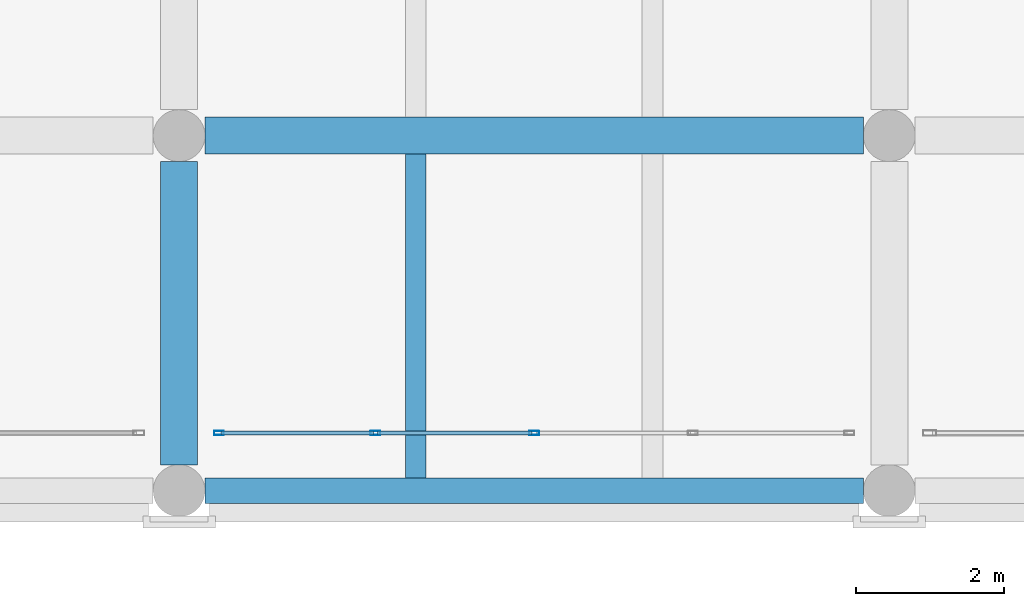
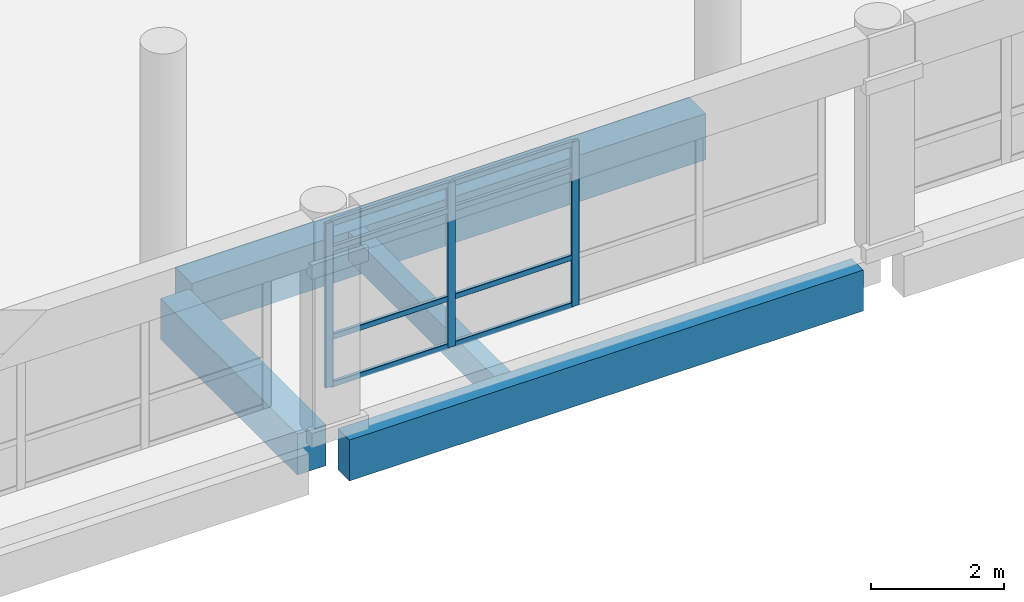
# One storey, part 10 of 180: 11 members, 4 beams, 1 element without a shape of its own.
"""IFC4 building model written with IfcOpenShell, lengths in metres."""

from ifc_helpers import new_model, si_unit, direction, frame, origin, origin_2d, place, context, subcontext, project, spatial, rectangle, hollow_rectangle, extrude, material, layer, layer_set, material_profile, profile_set, type_object, element, aggregate, save


model = new_model("IFC4")

# Units and contexts
model_context = context("Model", 3, precision=1e-05, world=origin(), true_north=direction((0.0, 1.0)))
body_context = subcontext(model_context, "Body", "Model", "MODEL_VIEW")
ifc_project = project(units=[si_unit("LENGTHUNIT", "METRE"), si_unit("AREAUNIT", "SQUARE_METRE"), si_unit("VOLUMEUNIT", "CUBIC_METRE"), si_unit("PLANEANGLEUNIT", "RADIAN"), si_unit("MASSUNIT", "GRAM", prefix="KILO")], contexts=[model_context])

# Site, building, storey
site_placement = place(None, origin())
site = spatial("IfcSite", under=ifc_project, at=site_placement, CompositionType="ELEMENT")
building_placement = place(site_placement, origin())
building = spatial("IfcBuilding", under=site, at=building_placement, Name="Asteropetra Specialist Clinic", CompositionType="ELEMENT")
storey_placement = place(building_placement, frame((0.0, 0.0, 4.419921875)))
storey = spatial("IfcBuildingStorey", under=building, at=storey_placement, Name="L01", CompositionType="ELEMENT", Elevation=4.419921875)

# Beams
ifc_material_1 = material(Name="Concrete C35/45", Category="concrete")
ifc_material_profile_1 = material_profile(ifc_material_1, rectangle(XDim=0.5, YDim=0.75, at=origin_2d()), Name="RCB 500x750")
ifc_profile_set_1 = profile_set([ifc_material_profile_1], Name="Concrete C35/45")
beam_type_1 = type_object("IfcBeamType", Name="BM-RC500x750", PredefinedType="BEAM", material=ifc_profile_set_1)
beam_1_placement = place(storey_placement, frame((9.60009765625, 0.35009765625, -0.71484375), z_axis=(0.0, 1.0, 0.0), x_axis=(-1.0, 0.0, 0.0)))
element("IfcBeam", 1, at=beam_1_placement, inside=storey, type_object=beam_type_1, Name="Beam BBM04-0253", PredefinedType="BEAM", context=body_context, shape_type="SweptSolid", body=[
    extrude(rectangle(XDim=0.5, YDim=0.75, at=origin_2d()), origin(), (0.0, 0.0, 1.0), 4.099853515625),
])
ifc_material_2 = material(Name="Concrete C35/45", Category="concrete")
ifc_material_profile_2 = material_profile(ifc_material_2, rectangle(XDim=0.5, YDim=0.85009765625, at=origin_2d()), Name="RCB 500x850")
ifc_profile_set_2 = profile_set([ifc_material_profile_2], Name="Concrete C35/45")
beam_type_2 = type_object("IfcBeamType", Name="BM-RC500x850", PredefinedType="BEAM", material=ifc_profile_set_2)
beam_2_placement = place(storey_placement, frame((9.949951171875, 4.800048828125, -0.764892578125), z_axis=(1.0, 0.0, 0.0), x_axis=(0.0, 1.0, 0.0)))
element("IfcBeam", 2, at=beam_2_placement, inside=storey, type_object=beam_type_2, Name="Beam BBM03-0233", PredefinedType="BEAM", context=body_context, shape_type="SweptSolid", body=[
    extrude(rectangle(XDim=0.5, YDim=0.85009765625, at=origin_2d()), origin(), (0.0, 0.0, 1.0), 8.900146484375),
])

# Curtain wall, members
ifc_material_3 = material(Name="Aluminium and low-E glass", Category="aluminium")
ifc_layer = layer(ifc_material_3, 0.179931640625)
ifc_layer_set = layer_set([ifc_layer], Name="Aluminium and low-E glass")
curtain_wall_type = type_object("IfcCurtainWallType", Name="CW-SYS-10", PredefinedType="USERDEFINED", material=ifc_layer_set)
curtain_wall_placement = place(storey_placement, origin())
curtain_wall = element("IfcCurtainWall", 3, at=curtain_wall_placement, inside=storey, type_object=curtain_wall_type, Name="Curtain Wall CW-134", ObjectType="STICK GLAZED COLONNADE", PredefinedType="USERDEFINED")
ifc_material_4 = material(Name="Aluminium 6063-T6", Category="aluminium")
ifc_material_profile_3 = material_profile(ifc_material_4, hollow_rectangle(XDim=0.06005859375, YDim=0.135009765625, WallThickness=0.00341796875, InnerFilletRadius=0.00341796875, OuterFilletRadius=0.007080078125, at=origin_2d()), Name="MUL 135x60x3.5")
ifc_profile_set_3 = profile_set([ifc_material_profile_3], Name="Aluminium 6063-T6")
member_type_1 = type_object("IfcMemberType", Name="CWM-135x60", PredefinedType="MULLION", material=ifc_profile_set_3)
member_1_placement = place(storey_placement, frame((10.139892578125, 0.780029296875, 0.0), z_axis=(0.0, 0.0, 1.0), x_axis=(0.0, 1.0, 0.0)))
member_1 = element("IfcMember", 4, at=member_1_placement, type_object=member_type_1, Name="CW-134 mullion 1", PredefinedType="MULLION", context=body_context, shape_type="SweptSolid", body=[
    extrude(hollow_rectangle(XDim=0.06005859375, YDim=0.135009765625, WallThickness=0.00341796875, InnerFilletRadius=0.00341796875, OuterFilletRadius=0.007080078125, at=origin_2d()), origin(), (0.0, 0.0, 1.0), 3.010009765625),
])
member_2_placement = place(storey_placement, frame((12.2548828125, 0.780029296875, 0.0), z_axis=(0.0, 0.0, 1.0), x_axis=(0.0, 1.0, 0.0)))
member_2 = element("IfcMember", 5, at=member_2_placement, type_object=member_type_1, Name="CW-134 mullion 2", PredefinedType="MULLION", context=body_context, shape_type="SweptSolid", body=[
    extrude(hollow_rectangle(XDim=0.06005859375, YDim=0.135009765625, WallThickness=0.00341796875, InnerFilletRadius=0.00341796875, OuterFilletRadius=0.007080078125, at=origin_2d()), origin(), (0.0, 0.0, 1.0), 3.010009765625),
])
member_3_placement = place(storey_placement, frame((14.39990234375, 0.780029296875, 0.0), z_axis=(0.0, 0.0, 1.0), x_axis=(0.0, 1.0, 0.0)))
member_3 = element("IfcMember", 6, at=member_3_placement, type_object=member_type_1, Name="CW-134 mullion 3", PredefinedType="MULLION", context=body_context, shape_type="SweptSolid", body=[
    extrude(hollow_rectangle(XDim=0.06005859375, YDim=0.135009765625, WallThickness=0.00341796875, InnerFilletRadius=0.00341796875, OuterFilletRadius=0.007080078125, at=origin_2d()), origin(), (0.0, 0.0, 1.0), 3.010009765625),
])
ifc_material_5 = material(Name="Aluminium 6063-T6", Category="aluminium")
ifc_material_profile_4 = material_profile(ifc_material_5, hollow_rectangle(XDim=0.06005859375, YDim=0.10009765625, WallThickness=0.00341796875, InnerFilletRadius=0.00341796875, OuterFilletRadius=0.007080078125, at=origin_2d()), Name="TRN 100x60x3.5")
ifc_profile_set_4 = profile_set([ifc_material_profile_4], Name="Aluminium 6063-T6")
member_type_2 = type_object("IfcMemberType", Name="CWT-100x60", PredefinedType="USERDEFINED", material=ifc_profile_set_4)
member_4_placement = place(storey_placement, frame((10.169921875, 0.780029296875, 0.030029296875), z_axis=(1.0, 0.0, 0.0), x_axis=(0.0, 1.0, 0.0)))
member_4 = element("IfcMember", 7, at=member_4_placement, type_object=member_type_2, Name="CW-134 transom 1.1", ObjectType="TRANSOM", PredefinedType="USERDEFINED", context=body_context, shape_type="SweptSolid", body=[
    extrude(hollow_rectangle(XDim=0.06005859375, YDim=0.10009765625, WallThickness=0.00341796875, InnerFilletRadius=0.00341796875, OuterFilletRadius=0.007080078125, at=origin_2d()), origin(), (0.0, 0.0, 1.0), 2.05517578125),
])
member_5_placement = place(storey_placement, frame((10.169921875, 0.780029296875, 0.900146484375), z_axis=(1.0, 0.0, 0.0), x_axis=(0.0, 1.0, 0.0)))
member_5 = element("IfcMember", 8, at=member_5_placement, type_object=member_type_2, Name="CW-134 transom 1.2", ObjectType="TRANSOM", PredefinedType="USERDEFINED", context=body_context, shape_type="SweptSolid", body=[
    extrude(hollow_rectangle(XDim=0.06005859375, YDim=0.10009765625, WallThickness=0.00341796875, InnerFilletRadius=0.00341796875, OuterFilletRadius=0.007080078125, at=origin_2d()), origin(), (0.0, 0.0, 1.0), 2.05517578125),
])
member_6_placement = place(storey_placement, frame((10.169921875, 0.780029296875, 2.510009765625), z_axis=(1.0, 0.0, 0.0), x_axis=(0.0, 1.0, 0.0)))
member_6 = element("IfcMember", 9, at=member_6_placement, type_object=member_type_2, Name="CW-134 transom 1.3", ObjectType="TRANSOM", PredefinedType="USERDEFINED", context=body_context, shape_type="SweptSolid", body=[
    extrude(hollow_rectangle(XDim=0.06005859375, YDim=0.10009765625, WallThickness=0.00341796875, InnerFilletRadius=0.00341796875, OuterFilletRadius=0.007080078125, at=origin_2d()), origin(), (0.0, 0.0, 1.0), 2.05517578125),
])
member_7_placement = place(storey_placement, frame((10.169921875, 0.780029296875, 2.97998046875), z_axis=(1.0, 0.0, 0.0), x_axis=(0.0, 1.0, 0.0)))
member_7 = element("IfcMember", 10, at=member_7_placement, type_object=member_type_2, Name="CW-134 transom 1.4", ObjectType="TRANSOM", PredefinedType="USERDEFINED", context=body_context, shape_type="SweptSolid", body=[
    extrude(hollow_rectangle(XDim=0.06005859375, YDim=0.10009765625, WallThickness=0.00341796875, InnerFilletRadius=0.00341796875, OuterFilletRadius=0.007080078125, at=origin_2d()), origin(), (0.0, 0.0, 1.0), 2.05517578125),
])
member_8_placement = place(storey_placement, frame((12.284912109375, 0.780029296875, 0.030029296875), z_axis=(1.0, 0.0, 0.0), x_axis=(0.0, 1.0, 0.0)))
member_8 = element("IfcMember", 11, at=member_8_placement, type_object=member_type_2, Name="CW-134 transom 2.1", ObjectType="TRANSOM", PredefinedType="USERDEFINED", context=body_context, shape_type="SweptSolid", body=[
    extrude(hollow_rectangle(XDim=0.06005859375, YDim=0.10009765625, WallThickness=0.00341796875, InnerFilletRadius=0.00341796875, OuterFilletRadius=0.007080078125, at=origin_2d()), origin(), (0.0, 0.0, 1.0), 2.085205078125),
])
member_9_placement = place(storey_placement, frame((12.284912109375, 0.780029296875, 0.900146484375), z_axis=(1.0, 0.0, 0.0), x_axis=(0.0, 1.0, 0.0)))
member_9 = element("IfcMember", 12, at=member_9_placement, type_object=member_type_2, Name="CW-134 transom 2.2", ObjectType="TRANSOM", PredefinedType="USERDEFINED", context=body_context, shape_type="SweptSolid", body=[
    extrude(hollow_rectangle(XDim=0.06005859375, YDim=0.10009765625, WallThickness=0.00341796875, InnerFilletRadius=0.00341796875, OuterFilletRadius=0.007080078125, at=origin_2d()), origin(), (0.0, 0.0, 1.0), 2.085205078125),
])
member_10_placement = place(storey_placement, frame((12.284912109375, 0.780029296875, 2.510009765625), z_axis=(1.0, 0.0, 0.0), x_axis=(0.0, 1.0, 0.0)))
member_10 = element("IfcMember", 13, at=member_10_placement, type_object=member_type_2, Name="CW-134 transom 2.3", ObjectType="TRANSOM", PredefinedType="USERDEFINED", context=body_context, shape_type="SweptSolid", body=[
    extrude(hollow_rectangle(XDim=0.06005859375, YDim=0.10009765625, WallThickness=0.00341796875, InnerFilletRadius=0.00341796875, OuterFilletRadius=0.007080078125, at=origin_2d()), origin(), (0.0, 0.0, 1.0), 2.085205078125),
])
member_11_placement = place(storey_placement, frame((12.284912109375, 0.780029296875, 2.97998046875), z_axis=(1.0, 0.0, 0.0), x_axis=(0.0, 1.0, 0.0)))
member_11 = element("IfcMember", 14, at=member_11_placement, type_object=member_type_2, Name="CW-134 transom 2.4", ObjectType="TRANSOM", PredefinedType="USERDEFINED", context=body_context, shape_type="SweptSolid", body=[
    extrude(hollow_rectangle(XDim=0.06005859375, YDim=0.10009765625, WallThickness=0.00341796875, InnerFilletRadius=0.00341796875, OuterFilletRadius=0.007080078125, at=origin_2d()), origin(), (0.0, 0.0, 1.0), 2.085205078125),
])
aggregate(curtain_wall, [member_1, member_2, member_3, member_4, member_5, member_6, member_7, member_8, member_9, member_10, member_11])

# Beams
ifc_material_6 = material(Name="Concrete C35/45", Category="concrete")
ifc_material_profile_5 = material_profile(ifc_material_6, rectangle(XDim=0.280029296875, YDim=0.52001953125, at=origin_2d()), Name="RCJ 280x520")
ifc_profile_set_5 = profile_set([ifc_material_profile_5], Name="Concrete C35/45")
beam_type_3 = type_object("IfcBeamType", Name="JST-RC280x520", PredefinedType="JOIST", material=ifc_profile_set_5)
beam_3_placement = place(storey_placement, frame((12.800048828125, 0.175048828125, -0.599853515625), z_axis=(0.0, 1.0, 0.0), x_axis=(-1.0, 0.0, 0.0)))
element("IfcBeam", 15, at=beam_3_placement, inside=storey, type_object=beam_type_3, Name="Joist JJST01-0261", PredefinedType="JOIST", context=body_context, shape_type="SweptSolid", body=[
    extrude(rectangle(XDim=0.280029296875, YDim=0.52001953125, at=origin_2d()), origin(), (0.0, 0.0, 1.0), 4.375),
])
ifc_material_7 = material(Name="Concrete C35/45", Category="concrete")
ifc_material_profile_6 = material_profile(ifc_material_7, rectangle(XDim=0.35009765625, YDim=0.75, at=origin_2d()), Name="RCS 350x750")
ifc_profile_set_6 = profile_set([ifc_material_profile_6], Name="Concrete C35/45")
beam_type_4 = type_object("IfcBeamType", Name="SPN-RC350x750", PredefinedType="SPANDREL", material=ifc_profile_set_6)
beam_4_placement = place(storey_placement, frame((9.949951171875, 0.0, -0.71484375), z_axis=(1.0, 0.0, 0.0), x_axis=(0.0, 1.0, 0.0)))
element("IfcBeam", 16, at=beam_4_placement, inside=storey, type_object=beam_type_4, Name="Beam BSPN01-0227", PredefinedType="SPANDREL", context=body_context, shape_type="SweptSolid", body=[
    extrude(rectangle(XDim=0.35009765625, YDim=0.75, at=origin_2d()), origin(), (0.0, 0.0, 1.0), 8.900146484375),
])

save(model, "model.ifc")
